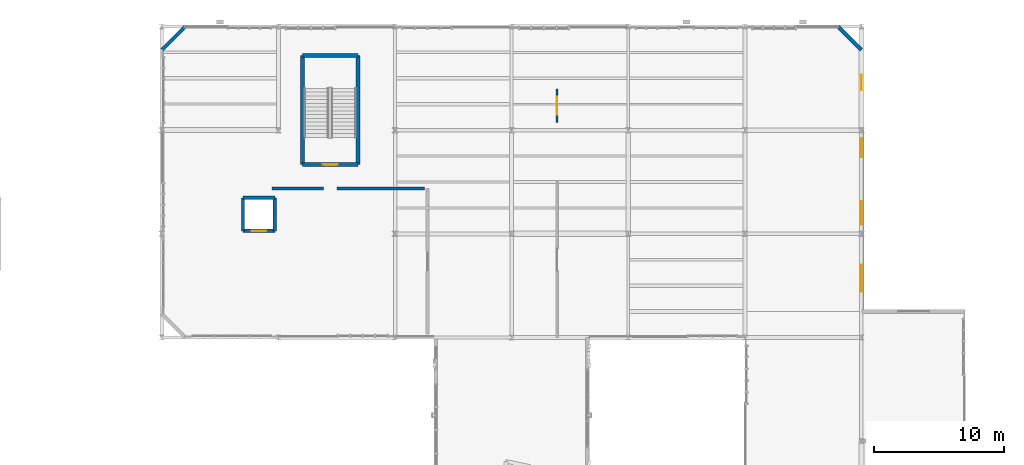
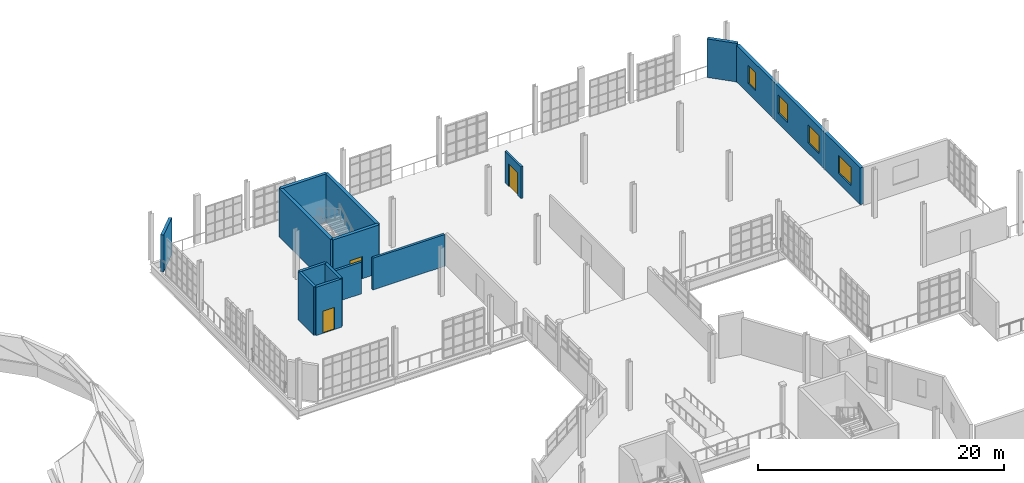
# One storey, part 106 of 118: 14 walls, 4 windows, 3 doors, 7 openings.
"""IFC4 building model written with IfcOpenShell, lengths in metres."""

from ifc_helpers import new_model, si_unit, direction, frame, frame_2d, origin, place, context, subcontext, project, spatial, rectangle, extrude, material, layer, layer_set, type_object, element, fill, save


model = new_model("IFC4")

# Units and contexts
model_context = context("Model", 3, precision=1e-05, world=origin(), true_north=direction((0.0, 1.0)))
body_context = subcontext(model_context, "Body", "Model", "MODEL_VIEW")
ifc_project = project(units=[si_unit("LENGTHUNIT", "METRE"), si_unit("AREAUNIT", "SQUARE_METRE"), si_unit("VOLUMEUNIT", "CUBIC_METRE"), si_unit("PLANEANGLEUNIT", "RADIAN"), si_unit("MASSUNIT", "GRAM", prefix="KILO"), si_unit("THERMODYNAMICTEMPERATUREUNIT", "KELVIN"), si_unit("POWERUNIT", "WATT")], contexts=[model_context])

# Site, building, storey
site_placement = place(None, origin())
site = spatial("IfcSite", under=ifc_project, at=site_placement, CompositionType="ELEMENT")
building_placement = place(site_placement, origin())
building = spatial("IfcBuilding", under=site, at=building_placement, Name="Zelmaris Science Centre", CompositionType="ELEMENT")
storey_placement = place(building_placement, frame((0.0, 0.0, 15.60009765625)))
storey = spatial("IfcBuildingStorey", under=building, at=storey_placement, Name="L03", CompositionType="ELEMENT", Elevation=15.60009765625)

# Wall, opening, door
ifc_material_1 = material(Name="Concrete C40/50", Category="concrete")
ifc_layer_1 = layer(ifc_material_1, 0.300048828125, Name="Concrete C40/50")
ifc_layer_set_1 = layer_set([ifc_layer_1], Name="Concrete C40/50")
wall_type_1 = type_object("IfcWallType", Name="Core Shear Wall CW-S1 300mm", PredefinedType="SOLIDWALL", material=ifc_layer_set_1)
wall_1_placement = place(storey_placement, frame((69.14990234375, 77.35009765625, 0.0), z_axis=(0.0, 0.0, 1.0), x_axis=(-1.0, 0.0, 0.0)))
wall_1 = element("IfcWall", 1, at=wall_1_placement, inside=storey, type_object=wall_type_1, Name="L03 ST-3 core shear wall near", PredefinedType="SOLIDWALL", context=body_context, shape_type="SweptSolid", body=[
    extrude(rectangle(XDim=4.2998046875, YDim=0.300048828125, at=frame_2d((2.14990234375, 0.0))), origin(), (0.0, 0.0, 1.0), 4.7998046875),
])
opening_1_placement = place(wall_1_placement, frame((1.574951171875, 0.0, 0.0)))
opening_1 = element("IfcOpeningElement", 2, at=opening_1_placement, cuts=wall_1, Name="Opening D-FD90", PredefinedType="OPENING", context=body_context, shape_type="SweptSolid", body=[
    extrude(rectangle(XDim=1.14990234375, YDim=2.199951171875, at=frame_2d((0.574951171875, 1.10009765625))), frame((0.0, 0.159912109375, 0.0), z_axis=(0.0, -1.0, 0.0), x_axis=(1.0, 0.0, 0.0)), (0.0, 0.0, 1.0), 0.320068359375),
])
ifc_material_2 = material(Name="Steel ASTM A36", Category="steel")
door_type_1 = type_object("IfcDoorType", Name="Interior Door D-FD90 1150x2200", OperationType="NOTDEFINED", PredefinedType="DOOR", material=ifc_material_2)
door_1_placement = place(opening_1_placement, origin())
door_1 = element("IfcDoor", 3, at=door_1_placement, inside=storey, type_object=door_type_1, Name="L03 ST-3 exit stair fire door", OperationType="SINGLE_SWING_LEFT", OverallHeight=2.199951171875, OverallWidth=1.14990234375, PredefinedType="DOOR", context=body_context, shape_type="SweptSolid", body=[
    extrude(rectangle(XDim=1.14990234375, YDim=2.199951171875, at=frame_2d((0.574951171875, 1.10009765625))), frame((0.0, 0.02490234375, 0.0), z_axis=(0.0, -1.0, 0.0), x_axis=(1.0, 0.0, 0.0)), (0.0, 0.0, 1.0), 0.050048828125),
])
fill(opening_1, door_1)

# Walls
wall_2_placement = place(storey_placement, frame((69.14990234375, 77.35009765625, 0.0), z_axis=(0.0, 0.0, 1.0), x_axis=(0.0, 1.0, 0.0)))
element("IfcWall", 4, at=wall_2_placement, inside=storey, type_object=wall_type_1, Name="L03 ST-3 core shear wall east", PredefinedType="SOLIDWALL", context=body_context, shape_type="SweptSolid", body=[
    extrude(rectangle(XDim=8.39990234375, YDim=0.300048828125, at=frame_2d((4.199951171875, 0.0))), origin(), (0.0, 0.0, 1.0), 4.7998046875),
])
wall_3_placement = place(storey_placement, frame((69.14990234375, 85.75, 0.0), z_axis=(0.0, 0.0, 1.0), x_axis=(-1.0, 0.0, 0.0)))
element("IfcWall", 5, at=wall_3_placement, inside=storey, type_object=wall_type_1, Name="L03 ST-3 core shear wall far", PredefinedType="SOLIDWALL", context=body_context, shape_type="SweptSolid", body=[
    extrude(rectangle(XDim=4.2998046875, YDim=0.300048828125, at=frame_2d((2.14990234375, 0.0))), origin(), (0.0, 0.0, 1.0), 4.7998046875),
])
wall_4_placement = place(storey_placement, frame((64.85009765625, 77.35009765625, 0.0), z_axis=(0.0, 0.0, 1.0), x_axis=(0.0, 1.0, 0.0)))
element("IfcWall", 6, at=wall_4_placement, inside=storey, type_object=wall_type_1, Name="L03 ST-3 core shear wall west", PredefinedType="SOLIDWALL", context=body_context, shape_type="SweptSolid", body=[
    extrude(rectangle(XDim=8.39990234375, YDim=0.300048828125, at=frame_2d((4.199951171875, 0.0))), origin(), (0.0, 0.0, 1.0), 4.7998046875),
])

# Wall, opening, door
ifc_layer_2 = layer(ifc_material_1, 0.25, Name="Concrete C40/50")
ifc_layer_set_2 = layer_set([ifc_layer_2], Name="Concrete C40/50")
wall_type_2 = type_object("IfcWallType", Name="Core Shear Wall CW-S2 250mm", PredefinedType="SOLIDWALL", material=ifc_layer_set_2)
wall_5_placement = place(storey_placement, frame((60.27490234375, 72.22509765625, 0.0), z_axis=(0.0, 0.0, 1.0), x_axis=(1.0, 0.0, 0.0)))
wall_5 = element("IfcWall", 7, at=wall_5_placement, inside=storey, type_object=wall_type_2, Name="L03 LP-03 lift shaft wall -y", PredefinedType="SOLIDWALL", context=body_context, shape_type="SweptSolid", body=[
    extrude(rectangle(XDim=2.4501953125, YDim=0.25, at=frame_2d((1.22509765625, 0.0))), origin(), (0.0, 0.0, 1.0), 4.7998046875),
])
opening_2_placement = place(wall_5_placement, frame((0.675048828125, 0.0, 0.0)))
opening_2 = element("IfcOpeningElement", 8, at=opening_2_placement, cuts=wall_5, Name="Opening LD-01", PredefinedType="OPENING", context=body_context, shape_type="SweptSolid", body=[
    extrude(rectangle(XDim=1.10009765625, YDim=2.199951171875, at=frame_2d((0.550048828125, 1.10009765625))), frame((0.0, 0.135009765625, 0.0), z_axis=(0.0, -1.0, 0.0), x_axis=(1.0, 0.0, 0.0)), (0.0, 0.0, 1.0), 0.27001953125),
])
door_type_2 = type_object("IfcDoorType", Name="Interior Door LD-01 1100x2200", OperationType="SLIDING_TO_LEFT", PredefinedType="DOOR", material=ifc_material_2)
door_2_placement = place(opening_2_placement, origin())
door_2 = element("IfcDoor", 9, at=door_2_placement, inside=storey, type_object=door_type_2, Name="Landing door LD-LP-03-L03", OperationType="SLIDING_TO_LEFT", OverallHeight=2.199951171875, OverallWidth=1.10009765625, PredefinedType="DOOR", context=body_context, shape_type="SweptSolid", body=[
    extrude(rectangle(XDim=1.10009765625, YDim=2.199951171875, at=frame_2d((0.550048828125, 1.10009765625))), frame((0.0, 0.02490234375, 0.0), z_axis=(0.0, -1.0, 0.0), x_axis=(1.0, 0.0, 0.0)), (0.0, 0.0, 1.0), 0.050048828125),
])
fill(opening_2, door_2)

# Walls
wall_6_placement = place(storey_placement, frame((62.72509765625, 72.22509765625, 0.0), z_axis=(0.0, 0.0, 1.0), x_axis=(0.0, 1.0, 0.0)))
element("IfcWall", 10, at=wall_6_placement, inside=storey, type_object=wall_type_2, Name="L03 LP-03 lift shaft wall +x", PredefinedType="SOLIDWALL", context=body_context, shape_type="SweptSolid", body=[
    extrude(rectangle(XDim=2.5498046875, YDim=0.25, at=frame_2d((1.27490234375, 0.0))), origin(), (0.0, 0.0, 1.0), 4.7998046875),
])
wall_7_placement = place(storey_placement, frame((62.72509765625, 74.77490234375, 0.0), z_axis=(0.0, 0.0, 1.0), x_axis=(-1.0, 0.0, 0.0)))
element("IfcWall", 11, at=wall_7_placement, inside=storey, type_object=wall_type_2, Name="L03 LP-03 lift shaft wall +y", PredefinedType="SOLIDWALL", context=body_context, shape_type="SweptSolid", body=[
    extrude(rectangle(XDim=2.4501953125, YDim=0.25, at=frame_2d((1.22509765625, 0.0))), origin(), (0.0, 0.0, 1.0), 4.7998046875),
])
wall_8_placement = place(storey_placement, frame((60.27490234375, 74.77490234375, 0.0), z_axis=(0.0, 0.0, 1.0), x_axis=(0.0, -1.0, 0.0)))
element("IfcWall", 12, at=wall_8_placement, inside=storey, type_object=wall_type_2, Name="L03 LP-03 lift shaft wall -x", PredefinedType="SOLIDWALL", context=body_context, shape_type="SweptSolid", body=[
    extrude(rectangle(XDim=2.5498046875, YDim=0.25, at=frame_2d((1.27490234375, 0.0))), origin(), (0.0, 0.0, 1.0), 4.7998046875),
])
ifc_material_3 = material(Name="Precast concrete C40/50", Category="concrete")
ifc_layer_3 = layer(ifc_material_3, 0.300048828125, Name="Precast concrete C40/50")
ifc_layer_set_3 = layer_set([ifc_layer_3], Name="Precast concrete C40/50")
wall_type_3 = type_object("IfcWallType", Name="Exterior Wall EW-04 300mm", PredefinedType="SOLIDWALL", material=ifc_layer_set_3)
wall_9_placement = place(storey_placement, frame((106.199951171875, 88.0, 0.0), z_axis=(0.0, 0.0, 1.0), x_axis=(0.707106781187, -0.707106781187, 0.0)))
element("IfcWall", 13, at=wall_9_placement, inside=storey, type_object=wall_type_3, Name="L03 Exterior wall 119", PredefinedType="SOLIDWALL", context=body_context, shape_type="SweptSolid", body=[
    extrude(rectangle(XDim=2.545654296875, YDim=0.300048828125, at=frame_2d((1.27294921875, 0.0))), origin(), (0.0, 0.0, 1.0), 3.831787109375),
])

# Wall, openings, windows
wall_10_placement = place(storey_placement, frame((108.0, 86.199951171875, 0.0), z_axis=(0.0, 0.0, 1.0), x_axis=(0.000133228364, -0.999999991125, 0.0)))
wall_10 = element("IfcWall", 14, at=wall_10_placement, inside=storey, type_object=wall_type_3, Name="L03 Exterior wall 120", PredefinedType="SOLIDWALL", context=body_context, shape_type="SweptSolid", body=[
    extrude(rectangle(XDim=20.157470703125, YDim=0.300048828125, at=frame_2d((10.07861328125, 0.0))), origin(), (0.0, 0.0, 1.0), 3.656005859375),
])
opening_3_placement = place(wall_10_placement, frame((1.919677734375, 0.0, 1.0)))
opening_3 = element("IfcOpeningElement", 15, at=opening_3_placement, cuts=wall_10, Name="Opening W-01", PredefinedType="OPENING", context=body_context, shape_type="SweptSolid", body=[
    extrude(rectangle(XDim=1.199951171875, YDim=1.800048828125, at=frame_2d((0.60009765625, 0.89990234375))), frame((0.0, 0.159912109375, 0.0), z_axis=(0.0, -1.0, 0.0), x_axis=(1.0, 0.0, 0.0)), (0.0, 0.0, 1.0), 0.320068359375),
])
opening_4_placement = place(wall_10_placement, frame((6.80908203125, 0.0, 1.0)))
opening_4 = element("IfcOpeningElement", 16, at=opening_4_placement, cuts=wall_10, Name="Opening W-02", PredefinedType="OPENING", context=body_context, shape_type="SweptSolid", body=[
    extrude(rectangle(XDim=1.5, YDim=1.800048828125, at=frame_2d((0.75, 0.89990234375))), frame((0.0, 0.159912109375, 0.0), z_axis=(0.0, -1.0, 0.0), x_axis=(1.0, 0.0, 0.0)), (0.0, 0.0, 1.0), 0.320068359375),
])
opening_5_placement = place(wall_10_placement, frame((11.698486328125, 0.0, 1.0)))
opening_5 = element("IfcOpeningElement", 17, at=opening_5_placement, cuts=wall_10, Name="Opening W-03", PredefinedType="OPENING", context=body_context, shape_type="SweptSolid", body=[
    extrude(rectangle(XDim=1.800048828125, YDim=1.800048828125, at=frame_2d((0.89990234375, 0.89990234375))), frame((0.0, 0.159912109375, 0.0), z_axis=(0.0, -1.0, 0.0), x_axis=(1.0, 0.0, 0.0)), (0.0, 0.0, 1.0), 0.320068359375),
])
opening_6_placement = place(wall_10_placement, frame((16.587646484375, 0.0, 1.0)))
opening_6 = element("IfcOpeningElement", 18, at=opening_6_placement, cuts=wall_10, Name="Opening W-04", PredefinedType="OPENING", context=body_context, shape_type="SweptSolid", body=[
    extrude(rectangle(XDim=2.10009765625, YDim=1.800048828125, at=frame_2d((1.050048828125, 0.89990234375))), frame((0.0, 0.159912109375, 0.0), z_axis=(0.0, -1.0, 0.0), x_axis=(1.0, 0.0, 0.0)), (0.0, 0.0, 1.0), 0.320068359375),
])
ifc_material_4 = material(Name="Laminated hurricane-rated low-E insulated glazing", Category="glass")
window_type_1 = type_object("IfcWindowType", Name="Window W-01 1200x1800", PartitioningType="SINGLE_PANEL", PredefinedType="WINDOW", material=ifc_material_4)
window_1_placement = place(opening_3_placement, origin())
window_1 = element("IfcWindow", 19, at=window_1_placement, inside=storey, type_object=window_type_1, Name="L03 Facade window 73", OverallHeight=1.800048828125, OverallWidth=1.199951171875, PartitioningType="SINGLE_PANEL", PredefinedType="WINDOW", context=body_context, shape_type="SweptSolid", body=[
    extrude(rectangle(XDim=1.199951171875, YDim=1.800048828125, at=frame_2d((0.60009765625, 0.89990234375))), frame((0.0, 0.030029296875, 0.0), z_axis=(0.0, -1.0, 0.0), x_axis=(1.0, 0.0, 0.0)), (0.0, 0.0, 1.0), 0.06005859375),
])
fill(opening_3, window_1)
window_type_2 = type_object("IfcWindowType", Name="Window W-02 1500x1800", PartitioningType="SINGLE_PANEL", PredefinedType="WINDOW", material=ifc_material_4)
window_2_placement = place(opening_4_placement, origin())
window_2 = element("IfcWindow", 20, at=window_2_placement, inside=storey, type_object=window_type_2, Name="L03 Facade window 74", OverallHeight=1.800048828125, OverallWidth=1.5, PartitioningType="SINGLE_PANEL", PredefinedType="WINDOW", context=body_context, shape_type="SweptSolid", body=[
    extrude(rectangle(XDim=1.5, YDim=1.800048828125, at=frame_2d((0.75, 0.89990234375))), frame((0.0, 0.030029296875, 0.0), z_axis=(0.0, -1.0, 0.0), x_axis=(1.0, 0.0, 0.0)), (0.0, 0.0, 1.0), 0.06005859375),
])
fill(opening_4, window_2)
window_type_3 = type_object("IfcWindowType", Name="Window W-03 1800x1800", PartitioningType="SINGLE_PANEL", PredefinedType="WINDOW", material=ifc_material_4)
window_3_placement = place(opening_5_placement, origin())
window_3 = element("IfcWindow", 21, at=window_3_placement, inside=storey, type_object=window_type_3, Name="L03 Facade window 75", OverallHeight=1.800048828125, OverallWidth=1.800048828125, PartitioningType="SINGLE_PANEL", PredefinedType="WINDOW", context=body_context, shape_type="SweptSolid", body=[
    extrude(rectangle(XDim=1.800048828125, YDim=1.800048828125, at=frame_2d((0.89990234375, 0.89990234375))), frame((0.0, 0.030029296875, 0.0), z_axis=(0.0, -1.0, 0.0), x_axis=(1.0, 0.0, 0.0)), (0.0, 0.0, 1.0), 0.06005859375),
])
fill(opening_5, window_3)
window_type_4 = type_object("IfcWindowType", Name="Window W-04 2100x1800", PartitioningType="SINGLE_PANEL", PredefinedType="WINDOW", material=ifc_material_4)
window_4_placement = place(opening_6_placement, origin())
window_4 = element("IfcWindow", 22, at=window_4_placement, inside=storey, type_object=window_type_4, Name="L03 Facade window 76", OverallHeight=1.800048828125, OverallWidth=2.10009765625, PartitioningType="SINGLE_PANEL", PredefinedType="WINDOW", context=body_context, shape_type="SweptSolid", body=[
    extrude(rectangle(XDim=2.10009765625, YDim=1.800048828125, at=frame_2d((1.050048828125, 0.89990234375))), frame((0.0, 0.030029296875, 0.0), z_axis=(0.0, -1.0, 0.0), x_axis=(1.0, 0.0, 0.0)), (0.0, 0.0, 1.0), 0.06005859375),
])
fill(opening_6, window_4)

# Walls
ifc_layer_4 = layer(ifc_material_3, 0.27001953125, Name="Precast concrete C40/50")
ifc_layer_set_4 = layer_set([ifc_layer_4], Name="Precast concrete C40/50")
wall_type_4 = type_object("IfcWallType", Name="Exterior Wall EW-10 270mm", PredefinedType="SOLIDWALL", material=ifc_layer_set_4)
wall_11_placement = place(storey_placement, frame((54.0, 86.199951171875, 0.0), z_axis=(0.0, 0.0, 1.0), x_axis=(0.707106781187, 0.707106781187, 0.0)))
element("IfcWall", 23, at=wall_11_placement, inside=storey, type_object=wall_type_4, Name="L03 Exterior wall 118", PredefinedType="SOLIDWALL", context=body_context, shape_type="SweptSolid", body=[
    extrude(rectangle(XDim=2.545654296875, YDim=0.27001953125, at=frame_2d((1.27294921875, 0.0))), origin(), (0.0, 0.0, 1.0), 3.656005859375),
])
ifc_material_5 = material(Name="Autoclaved aerated concrete blockwork", Category="masonry")
ifc_layer_5 = layer(ifc_material_5, 0.219970703125, Name="Autoclaved aerated concrete blockwork")
ifc_layer_set_5 = layer_set([ifc_layer_5], Name="Autoclaved aerated concrete blockwork")
wall_type_5 = type_object("IfcWallType", Name="Interior Wall FW-02 220mm", PredefinedType="SOLIDWALL", material=ifc_layer_set_5)
wall_12_placement = place(storey_placement, frame((62.5048828125, 75.5, 0.0), z_axis=(0.0, 0.0, 1.0), x_axis=(1.0, 0.0, 0.0)))
element("IfcWall", 24, at=wall_12_placement, inside=storey, type_object=wall_type_5, Name="L03 Astrophysics and Spectroscopy Teaching Laboratory partition 63", PredefinedType="SOLIDWALL", context=body_context, shape_type="SweptSolid", body=[
    extrude(rectangle(XDim=3.9677734375, YDim=0.219970703125, at=frame_2d((1.98388671875, 0.0))), origin(), (0.0, 0.0, 1.0), 3.14990234375),
])
wall_13_placement = place(storey_placement, frame((67.52734375, 75.5, 0.0), z_axis=(0.0, 0.0, 1.0), x_axis=(1.0, 0.0, 0.0)))
element("IfcWall", 25, at=wall_13_placement, inside=storey, type_object=wall_type_5, Name="L03 Astrophysics and Spectroscopy Teaching Laboratory partition 64", PredefinedType="SOLIDWALL", context=body_context, shape_type="SweptSolid", body=[
    extrude(rectangle(XDim=6.752685546875, YDim=0.219970703125, at=frame_2d((3.37646484375, 0.0))), origin(), (0.0, 0.0, 1.0), 3.14990234375),
])

# Wall, opening, door
ifc_layer_6 = layer(ifc_material_5, 0.179931640625, Name="Autoclaved aerated concrete blockwork")
ifc_layer_set_6 = layer_set([ifc_layer_6], Name="Autoclaved aerated concrete blockwork")
wall_type_6 = type_object("IfcWallType", Name="Interior Wall PT-04 180mm", PredefinedType="PARTITIONING", material=ifc_layer_set_6)
wall_14_placement = place(storey_placement, frame((84.5048828125, 80.577392578125, 0.0), z_axis=(0.0, 0.0, 1.0), x_axis=(0.0, 1.0, 0.0)))
wall_14 = element("IfcWall", 26, at=wall_14_placement, inside=storey, type_object=wall_type_6, Name="L03 Museum Director and Curatorial Office entrance partition 67", PredefinedType="PARTITIONING", context=body_context, shape_type="SweptSolid", body=[
    extrude(rectangle(XDim=2.60009765625, YDim=0.179931640625, at=frame_2d((1.300048828125, 0.0))), origin(), (0.0, 0.0, 1.0), 3.14990234375),
])
opening_7_placement = place(wall_14_placement, frame((0.60009765625, 0.0, 0.0)))
opening_7 = element("IfcOpeningElement", 27, at=opening_7_placement, cuts=wall_14, Name="Opening D-IN9", PredefinedType="OPENING", context=body_context, shape_type="SweptSolid", body=[
    extrude(rectangle(XDim=1.39990234375, YDim=2.25, at=frame_2d((0.699951171875, 1.125))), frame((0.0, 0.099853515625, 0.0), z_axis=(0.0, -1.0, 0.0), x_axis=(1.0, 0.0, 0.0)), (0.0, 0.0, 1.0), 0.199951171875),
])
door_type_3 = type_object("IfcDoorType", Name="Interior Door D-IN9 1400x2250", OperationType="NOTDEFINED", PredefinedType="DOOR", material=ifc_material_2)
door_3_placement = place(opening_7_placement, origin())
door_3 = element("IfcDoor", 28, at=door_3_placement, inside=storey, type_object=door_type_3, Name="L03 Museum Director and Curatorial Office door", OperationType="SINGLE_SWING_LEFT", OverallHeight=2.25, OverallWidth=1.39990234375, PredefinedType="DOOR", context=body_context, shape_type="SweptSolid", body=[
    extrude(rectangle(XDim=1.39990234375, YDim=2.25, at=frame_2d((0.699951171875, 1.125))), frame((0.0, 0.02490234375, 0.0), z_axis=(0.0, -1.0, 0.0), x_axis=(1.0, 0.0, 0.0)), (0.0, 0.0, 1.0), 0.050048828125),
])
fill(opening_7, door_3)

save(model, "model.ifc")
